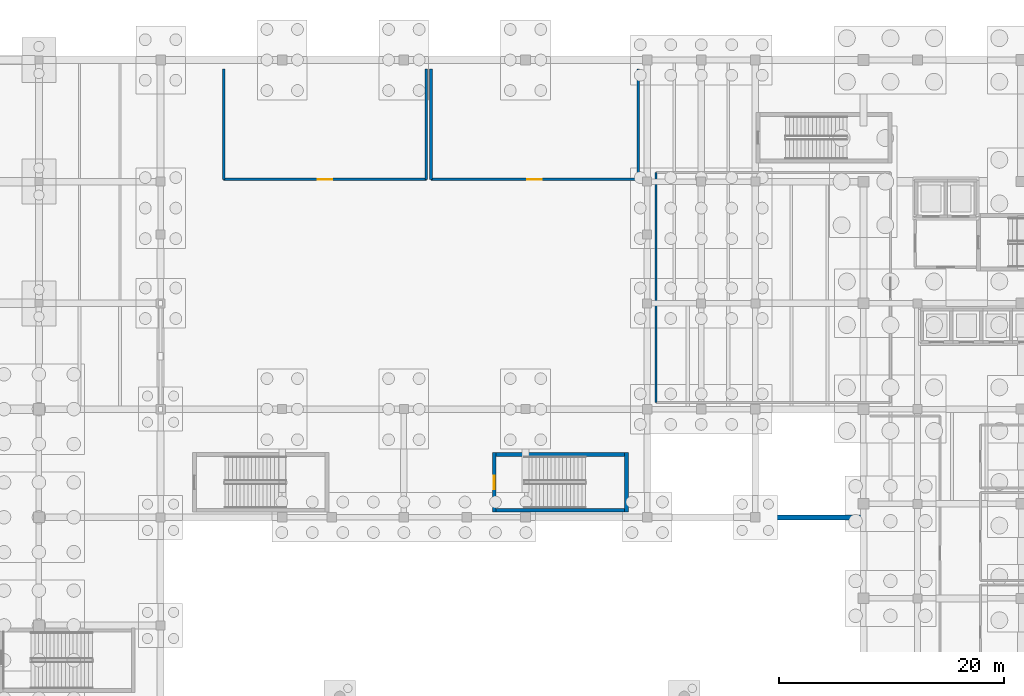
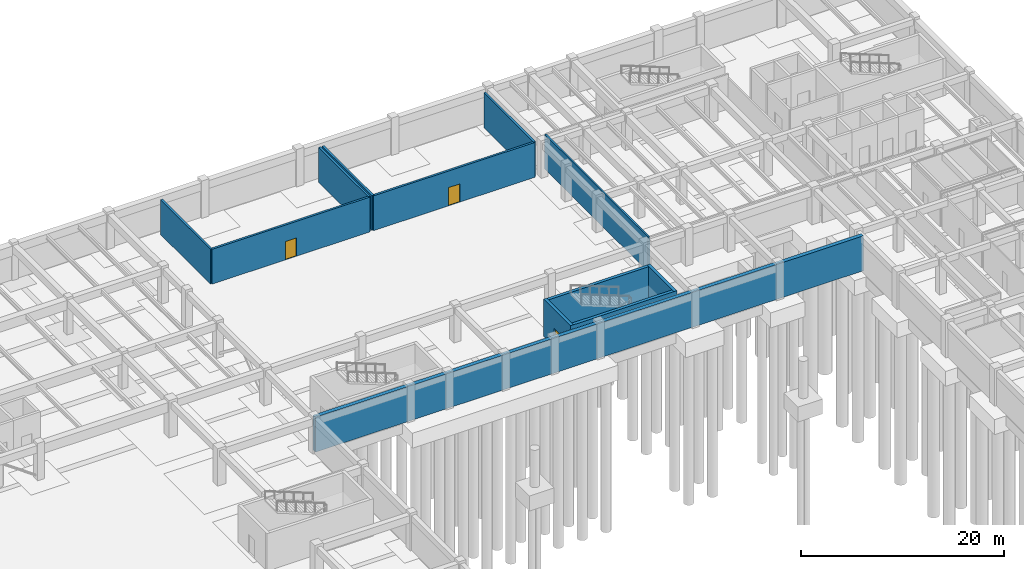
# One storey, part 17 of 33: 12 walls, 3 doors, 3 openings.
"""IFC4 building model written with IfcOpenShell, lengths in metres."""

from ifc_helpers import new_model, si_unit, direction, frame, frame_2d, origin, place, context, subcontext, project, spatial, rectangle, extrude, material, layer, layer_set, type_object, element, fill, save


model = new_model("IFC4")

# Units and contexts
model_context = context("Model", 3, precision=1e-05, world=origin(), true_north=direction((0.0, 1.0)))
body_context = subcontext(model_context, "Body", "Model", "MODEL_VIEW")
ifc_project = project(units=[si_unit("LENGTHUNIT", "METRE"), si_unit("AREAUNIT", "SQUARE_METRE"), si_unit("VOLUMEUNIT", "CUBIC_METRE"), si_unit("PLANEANGLEUNIT", "RADIAN"), si_unit("MASSUNIT", "GRAM", prefix="KILO")], contexts=[model_context])

# Site, building, storey
site_placement = place(None, origin())
site = spatial("IfcSite", under=ifc_project, at=site_placement, CompositionType="ELEMENT")
building_placement = place(site_placement, origin())
building = spatial("IfcBuilding", under=site, at=building_placement, Name="Veldera Park Congress Hotel", CompositionType="ELEMENT")
storey_placement = place(building_placement, frame((0.0, 0.0, -4.5)))
storey = spatial("IfcBuildingStorey", under=building, at=storey_placement, Name="B1", CompositionType="ELEMENT", Elevation=-4.5)

# Wall
ifc_material_1 = material(Name="Fire-Rated Gypsum Board on Cold-Formed Steel Studs", Category="steel")
ifc_layer_1 = layer(ifc_material_1, 0.179931640625)
ifc_layer_set_1 = layer_set([ifc_layer_1], Name="Fire-Rated Gypsum Board on Cold-Formed Steel Studs")
wall_type_1 = type_object("IfcWallType", Name="IW-CORR180", PredefinedType="PARTITIONING", material=ifc_layer_set_1)
wall_1_placement = place(storey_placement, frame((42.39990234375, 48.0, 0.0), z_axis=(0.0, 0.0, 1.0), x_axis=(0.0, -1.0, 0.0)))
element("IfcWall", 1, at=wall_1_placement, inside=storey, type_object=wall_type_1, Name="B1 Partition Wall IW3-B1-00021", PredefinedType="PARTITIONING", context=body_context, shape_type="SweptSolid", body=[
    extrude(rectangle(XDim=20.39990234375, YDim=0.179931640625, at=frame_2d((10.199951171875, 0.0))), origin(), (0.0, 0.0, 1.0), 4.199951171875),
])

# Wall, opening, door
ifc_material_2 = material(Name="Concrete f'c 40 MPa (5,800 psi)", Category="concrete")
ifc_layer_2 = layer(ifc_material_2, 0.239990234375)
ifc_layer_set_2 = layer_set([ifc_layer_2], Name="Concrete f'c 40 MPa (5,800 psi)")
wall_type_2 = type_object("IfcWallType", Name="IW-FIRE240", PredefinedType="STANDARD", material=ifc_layer_set_2)
wall_2_placement = place(storey_placement, frame((4.0, 47.39990234375, 0.0), z_axis=(0.0, 0.0, 1.0), x_axis=(1.0, 0.0, 0.0)))
wall_2 = element("IfcWall", 2, at=wall_2_placement, inside=storey, type_object=wall_type_2, Name="B1 Partition Wall IW3-B1-00009", PredefinedType="STANDARD", context=body_context, shape_type="SweptSolid", body=[
    extrude(rectangle(XDim=18.0, YDim=0.239990234375, at=frame_2d((9.0, 0.0))), origin(), (0.0, 0.0, 1.0), 4.199951171875),
])
opening_1_placement = place(wall_2_placement, frame((8.35009765625, 0.0, 0.0)))
opening_1 = element("IfcOpeningElement", 3, at=opening_1_placement, cuts=wall_2, Name="Opening ID-PLANT130", PredefinedType="OPENING", context=body_context, shape_type="SweptSolid", body=[
    extrude(rectangle(XDim=1.300048828125, YDim=2.199951171875, at=frame_2d((0.64990234375, 1.10009765625))), frame((0.0, 0.132080078125, 0.0), z_axis=(0.0, -1.0, 0.0), x_axis=(1.0, 0.0, 0.0)), (0.0, 0.0, 1.0), 0.263916015625),
])
ifc_material_3 = material(Name="Hollow Metal Fire-Rated Steel Door", Category="steel")
door_type_1 = type_object("IfcDoorType", Name="ID-PLANT130", OperationType="NOTDEFINED", PredefinedType="DOOR", material=ifc_material_3)
door_1_placement = place(opening_1_placement, origin())
door_1 = element("IfcDoor", 4, at=door_1_placement, inside=storey, type_object=door_type_1, Name="B1 Domestic Water Booster and Fire Pump Room Door ID3-B1-0005 (DR3-ID3-B1-0005)", OperationType="SINGLE_SWING_LEFT", OverallHeight=2.199951171875, OverallWidth=1.300048828125, PredefinedType="DOOR", context=body_context, shape_type="SweptSolid", body=[
    extrude(rectangle(XDim=1.300048828125, YDim=2.199951171875, at=frame_2d((0.64990234375, 1.10009765625))), frame((0.0, 0.02490234375, 0.0), z_axis=(0.0, -1.0, 0.0), x_axis=(1.0, 0.0, 0.0)), (0.0, 0.0, 1.0), 0.050048828125),
])
fill(opening_1, door_1)

# Walls
for number, where, z_axis, x_axis, name in (
    (5, (22.0, 47.39990234375, 0.0), (0.0, 0.0, 1.0), (0.0, 1.0, 0.0), "B1 Partition Wall IW3-B1-00010"),
    (6, (4.0, 57.199951171875, 0.0), (0.0, 0.0, 1.0), (0.0, -1.0, 0.0), "B1 Partition Wall IW3-B1-00011"),
):
    element("IfcWall", number, at=place(storey_placement, frame(where, z_axis=z_axis, x_axis=x_axis)), inside=storey, type_object=wall_type_2, Name=name, PredefinedType="STANDARD", context=body_context, shape_type="SweptSolid", body=[
        extrude(rectangle(XDim=9.800048828125, YDim=0.239990234375, at=frame_2d((4.89990234375, 0.0))), origin(), (0.0, 0.0, 1.0), 4.199951171875),
    ])

# Wall, opening, door
wall_3_placement = place(storey_placement, frame((22.39990234375, 47.39990234375, 0.0), z_axis=(0.0, 0.0, 1.0), x_axis=(1.0, 0.0, 0.0)))
wall_3 = element("IfcWall", 7, at=wall_3_placement, inside=storey, type_object=wall_type_2, Name="B1 Partition Wall IW3-B1-00012", PredefinedType="STANDARD", context=body_context, shape_type="SweptSolid", body=[
    extrude(rectangle(XDim=18.400146484375, YDim=0.239990234375, at=frame_2d((9.2001953125, 0.0))), origin(), (0.0, 0.0, 1.0), 4.199951171875),
])
opening_2_placement = place(wall_3_placement, frame((8.550048828125, 0.0, 0.0)))
opening_2 = element("IfcOpeningElement", 8, at=opening_2_placement, cuts=wall_3, Name="Opening ID-PLANT130", PredefinedType="OPENING", context=body_context, shape_type="SweptSolid", body=[
    extrude(rectangle(XDim=1.300048828125, YDim=2.199951171875, at=frame_2d((0.64990234375, 1.10009765625))), frame((0.0, 0.132080078125, 0.0), z_axis=(0.0, -1.0, 0.0), x_axis=(1.0, 0.0, 0.0)), (0.0, 0.0, 1.0), 0.263916015625),
])
door_2_placement = place(opening_2_placement, origin())
door_2 = element("IfcDoor", 9, at=door_2_placement, inside=storey, type_object=door_type_1, Name="B1 Emergency Generator and ATS Plant Room Door ID3-B1-0006 (DR3-ID3-B1-0006)", OperationType="SINGLE_SWING_RIGHT", OverallHeight=2.199951171875, OverallWidth=1.300048828125, PredefinedType="DOOR", context=body_context, shape_type="SweptSolid", body=[
    extrude(rectangle(XDim=1.300048828125, YDim=2.199951171875, at=frame_2d((0.64990234375, 1.10009765625))), frame((0.0, 0.02490234375, 0.0), z_axis=(0.0, -1.0, 0.0), x_axis=(1.0, 0.0, 0.0)), (0.0, 0.0, 1.0), 0.050048828125),
])
fill(opening_2, door_2)

# Walls
for number, where, z_axis, x_axis, name in (
    (10, (40.800048828125, 47.39990234375, 0.0), (0.0, 0.0, 1.0), (0.0, 1.0, 0.0), "B1 Partition Wall IW3-B1-00013"),
    (11, (22.39990234375, 57.199951171875, 0.0), (0.0, 0.0, 1.0), (0.0, -1.0, 0.0), "B1 Partition Wall IW3-B1-00014"),
):
    element("IfcWall", number, at=place(storey_placement, frame(where, z_axis=z_axis, x_axis=x_axis)), inside=storey, type_object=wall_type_2, Name=name, PredefinedType="STANDARD", context=body_context, shape_type="SweptSolid", body=[
        extrude(rectangle(XDim=9.800048828125, YDim=0.239990234375, at=frame_2d((4.89990234375, 0.0))), origin(), (0.0, 0.0, 1.0), 4.199951171875),
    ])
ifc_layer_3 = layer(ifc_material_2, 0.35009765625)
ifc_layer_set_3 = layer_set([ifc_layer_3], Name="Concrete f'c 40 MPa (5,800 psi)")
wall_type_3 = type_object("IfcWallType", Name="SW-CORE350", PredefinedType="SHEAR", material=ifc_layer_set_3)
wall_4_placement = place(storey_placement, frame((27.85009765625, 18.02490234375, 0.0), z_axis=(0.0, 0.0, 1.0), x_axis=(1.0, 0.0, 0.0)))
element("IfcWall", 12, at=wall_4_placement, inside=storey, type_object=wall_type_3, Name="Stair ST7 Core Wall B1-S", PredefinedType="SHEAR", context=body_context, shape_type="SweptSolid", body=[
    extrude(rectangle(XDim=12.099853515625, YDim=0.35009765625, at=frame_2d((6.0498046875, 0.0))), origin(), (0.0, 0.0, 1.0), 4.5),
])
wall_5_placement = place(storey_placement, frame((39.77490234375, 17.85009765625, 0.0), z_axis=(0.0, 0.0, 1.0), x_axis=(0.0, 1.0, 0.0)))
element("IfcWall", 13, at=wall_5_placement, inside=storey, type_object=wall_type_3, Name="Stair ST7 Core Wall B1-E", PredefinedType="SHEAR", context=body_context, shape_type="SweptSolid", body=[
    extrude(rectangle(XDim=5.2998046875, YDim=0.35009765625, at=frame_2d((2.64990234375, 0.0))), origin(), (0.0, 0.0, 1.0), 4.5),
])
wall_6_placement = place(storey_placement, frame((39.949951171875, 22.97509765625, 0.0), z_axis=(0.0, 0.0, 1.0), x_axis=(-1.0, 0.0, 0.0)))
element("IfcWall", 14, at=wall_6_placement, inside=storey, type_object=wall_type_3, Name="Stair ST7 Core Wall B1-N", PredefinedType="SHEAR", context=body_context, shape_type="SweptSolid", body=[
    extrude(rectangle(XDim=12.099853515625, YDim=0.35009765625, at=frame_2d((6.0498046875, 0.0))), origin(), (0.0, 0.0, 1.0), 4.5),
])

# Wall, opening, door
wall_7_placement = place(storey_placement, frame((28.02490234375, 23.14990234375, 0.0), z_axis=(0.0, 0.0, 1.0), x_axis=(0.0, -1.0, 0.0)))
wall_7 = element("IfcWall", 15, at=wall_7_placement, inside=storey, type_object=wall_type_3, Name="Stair ST7 Core Wall B1-W", PredefinedType="SHEAR", context=body_context, shape_type="SweptSolid", body=[
    extrude(rectangle(XDim=5.2998046875, YDim=0.35009765625, at=frame_2d((2.64990234375, 0.0))), origin(), (0.0, 0.0, 1.0), 4.5),
])
opening_3_placement = place(wall_7_placement, frame((2.050048828125, 0.0, 0.0)))
opening_3 = element("IfcOpeningElement", 16, at=opening_3_placement, cuts=wall_7, Name="Opening ID-STAIR120", PredefinedType="OPENING", context=body_context, shape_type="SweptSolid", body=[
    extrude(rectangle(XDim=1.199951171875, YDim=2.199951171875, at=frame_2d((0.60009765625, 1.10009765625))), frame((0.0, 0.18701171875, 0.0), z_axis=(0.0, -1.0, 0.0), x_axis=(1.0, 0.0, 0.0)), (0.0, 0.0, 1.0), 0.3740234375),
])
door_type_2 = type_object("IfcDoorType", Name="ID-STAIR120", OperationType="NOTDEFINED", PredefinedType="DOOR", material=ifc_material_3)
door_3_placement = place(opening_3_placement, origin())
door_3 = element("IfcDoor", 17, at=door_3_placement, inside=storey, type_object=door_type_2, Name="B1 Stair ST7 Fire Door (DR3-SD-ST7-B1)", OperationType="SINGLE_SWING_RIGHT", OverallHeight=2.199951171875, OverallWidth=1.199951171875, PredefinedType="DOOR", context=body_context, shape_type="SweptSolid", body=[
    extrude(rectangle(XDim=1.199951171875, YDim=2.199951171875, at=frame_2d((0.60009765625, 1.10009765625))), frame((0.0, 0.02490234375, 0.0), z_axis=(0.0, -1.0, 0.0), x_axis=(1.0, 0.0, 0.0)), (0.0, 0.0, 1.0), 0.050048828125),
])
fill(opening_3, door_3)

# Wall
ifc_layer_4 = layer(ifc_material_2, 0.449951171875)
ifc_layer_set_4 = layer_set([ifc_layer_4], Name="Concrete f'c 40 MPa (5,800 psi)")
wall_type_4 = type_object("IfcWallType", Name="SW-RET450", PredefinedType="USERDEFINED", material=ifc_layer_set_4)
wall_8_placement = place(storey_placement, frame((-1.60009765625, 17.39990234375, 0.0), z_axis=(0.0, 0.0, 1.0), x_axis=(1.0, 0.0, 0.0)))
element("IfcWall", 18, at=wall_8_placement, inside=storey, type_object=wall_type_4, Name="Basement Retaining Wall 5", ObjectType="RETAININGWALL", PredefinedType="USERDEFINED", context=body_context, shape_type="SweptSolid", body=[
    extrude(rectangle(XDim=62.400146484375, YDim=0.449951171875, at=frame_2d((31.2001953125, 0.0))), origin(), (0.0, 0.0, 1.0), 4.199951171875),
])

save(model, "model.ifc")
